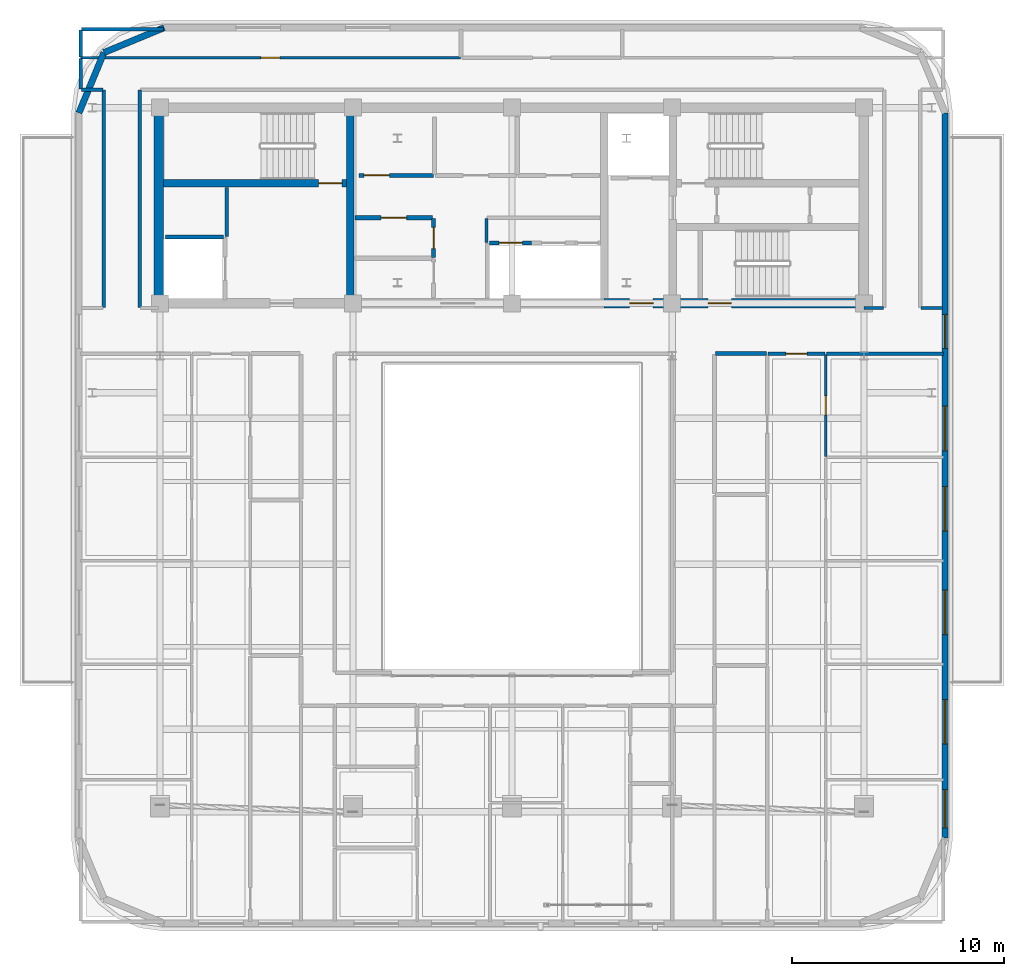
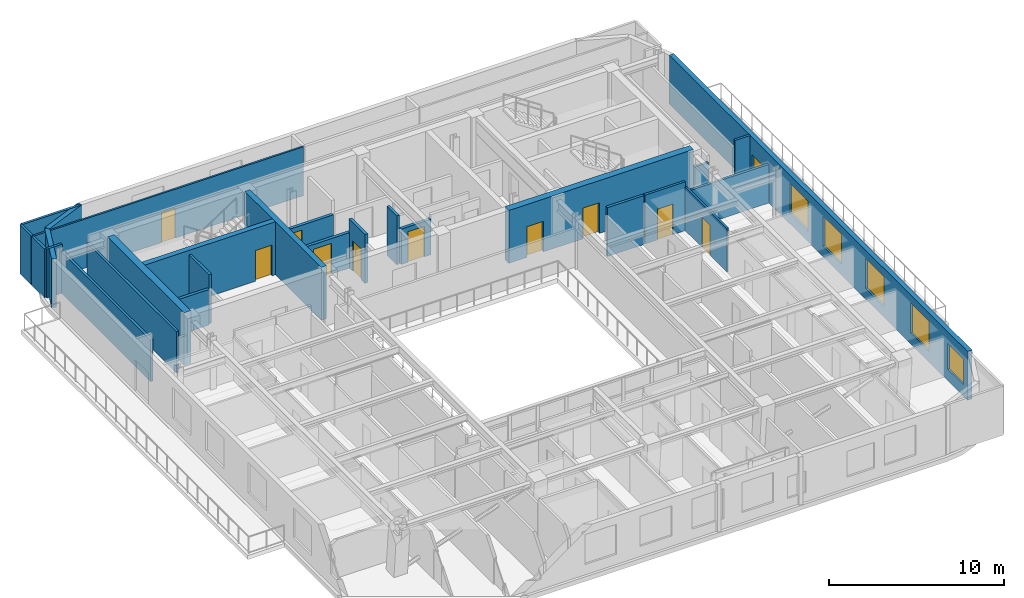
# One storey, part 9 of 14: 27 walls, 11 doors, 5 windows, 16 openings.
"""IFC4 building model written with IfcOpenShell, lengths in metres."""

import ifcopenshell
import ifcopenshell.guid

model = None  # the IFC model being written
_history = None  # IfcOwnerHistory: only IFC2X3 demands one
_inside = {}  # id of a spatial element -> (the spatial element, [elements in it])
_under = {}  # id of a project, library or spatial element -> (it, [spatial elements below it])
_declared = {}  # id of a project -> (the project, [libraries it declares])
_typed = {}  # id of a type object -> (the type object, [elements of that type])
_made_of = {}  # id of a material, layer set ... -> (it, [elements and type objects made of it])


def new_model(schema):
    """Start an empty IFC model of exactly this schema.

    Asked for "IFC4X3", IfcOpenShell would pick the latest addendum, in which some entities
    have other attributes; the version numbers below select the first issue.
    IFC2X3 requires an IfcOwnerHistory on every rooted entity: one is made here for all.
    """
    global model, _history
    if schema == "IFC4X3":
        model = ifcopenshell.file(schema_version=(4, 3, 0, 0))
    else:
        model = ifcopenshell.file(schema=schema)
    _inside.clear()
    _under.clear()
    _declared.clear()
    _typed.clear()
    _made_of.clear()
    _history = None
    if model.schema == "IFC2X3":
        org = make("IfcOrganization", Name="unknown")
        user = make(
            "IfcPersonAndOrganization",
            ThePerson=make("IfcPerson", FamilyName="unknown"),
            TheOrganization=org,
        )
        app = make(
            "IfcApplication",
            ApplicationDeveloper=org,
            Version="unknown",
            ApplicationFullName="unknown",
            ApplicationIdentifier="unknown",
        )
        _history = make(
            "IfcOwnerHistory",
            OwningUser=user,
            OwningApplication=app,
            ChangeAction="ADDED",
            CreationDate=0,
        )
    return model


def make(cls, **values):
    """One entity of the class cls with the attributes given. An attribute that is None is left unset."""
    return model.create_entity(
        cls, **{name: value for name, value in values.items() if value is not None}
    )


def rooted(cls, **values):
    """An entity with a GlobalId (a new one), such as an element, a storey or a relation."""
    return make(cls, GlobalId=ifcopenshell.guid.new(), OwnerHistory=_history, **values)


def si_unit(unit_type, name, prefix=None):
    """IfcSIUnit, for example si_unit("LENGTHUNIT", "METRE", prefix="MILLI")."""
    return make("IfcSIUnit", UnitType=unit_type, Prefix=prefix, Name=name)


def assignment(units):
    """IfcUnitAssignment: the units of a project."""
    return None if units is None else make("IfcUnitAssignment", Units=units)


def point(xyz):
    """IfcCartesianPoint."""
    return None if xyz is None else make("IfcCartesianPoint", Coordinates=xyz)


def direction(xyz):
    """IfcDirection."""
    return None if xyz is None else make("IfcDirection", DirectionRatios=xyz)


def frame(location, z_axis=None, x_axis=None):
    """IfcAxis2Placement3D, a coordinate frame: its origin and axes. An axis left out is left unset."""
    return make(
        "IfcAxis2Placement3D",
        Location=point(location),
        Axis=direction(z_axis),
        RefDirection=direction(x_axis),
    )


def frame_2d(location, x_axis=None):
    """IfcAxis2Placement2D, a coordinate frame in the plane: its origin and x axis."""
    return make(
        "IfcAxis2Placement2D", Location=point(location), RefDirection=direction(x_axis)
    )


def origin():
    """The frame at (0, 0, 0) with its axes left unset."""
    return frame((0.0, 0.0, 0.0))


def place(relative_to, where):
    """IfcLocalPlacement: puts the frame where relative to a parent placement (None: the world)."""
    return make(
        "IfcLocalPlacement", PlacementRelTo=relative_to, RelativePlacement=where
    )


def context(
    kind, dimensions, precision=None, world=None, true_north=None, identifier=None
):
    """IfcGeometricRepresentationContext, for example the 3D "Model" context."""
    return make(
        "IfcGeometricRepresentationContext",
        ContextIdentifier=identifier,
        ContextType=kind,
        CoordinateSpaceDimension=dimensions,
        Precision=precision,
        WorldCoordinateSystem=world,
        TrueNorth=true_north,
    )


def subcontext(parent, identifier, kind, view, scale=None):
    """IfcGeometricRepresentationSubContext, for example "Body" below "Model"."""
    return make(
        "IfcGeometricRepresentationSubContext",
        ContextIdentifier=identifier,
        ContextType=kind,
        ParentContext=parent,
        TargetScale=scale,
        TargetView=view,
    )


def project(units=None, contexts=None):
    """IfcProject with its units and contexts."""
    return rooted(
        "IfcProject",
        Name="project",
        RepresentationContexts=contexts,
        UnitsInContext=assignment(units),
    )


def spatial(cls, under=None, at=None, **own):
    """A site, building, storey or space (cls), placed at a placement, below another one or the project."""
    s = rooted(cls, ObjectPlacement=at, **own)
    if under is not None:
        _under.setdefault(under.id(), (under, []))[1].append(s)
    return s


def profile(cls, at=None, kind="AREA", **sizes):
    """A parametric profile (cls). Its sizes go by their IFC names, for example OverallWidth=200.0."""
    return make(cls, ProfileType=kind, Position=at, **sizes)


def rectangle(**sizes):
    """IfcRectangleProfileDef."""
    return profile("IfcRectangleProfileDef", **sizes)


def extrude(swept, where, along, depth):
    """IfcExtrudedAreaSolid: the profile swept, set in the frame where, extruded along a direction by depth."""
    return make(
        "IfcExtrudedAreaSolid",
        SweptArea=swept,
        Position=where,
        ExtrudedDirection=direction(along),
        Depth=depth,
    )


def shape(context_of_items, identifier, shape_type, items):
    """IfcShapeRepresentation: the items that make up one representation, for example the "Body"."""
    return make(
        "IfcShapeRepresentation",
        ContextOfItems=context_of_items,
        RepresentationIdentifier=identifier,
        RepresentationType=shape_type,
        Items=items,
    )


def material(Name=None, Category=None):
    """IfcMaterial."""
    return make("IfcMaterial", Name=Name, Category=Category)


def layer(
    of_material, thickness, ventilated=None, Name=None, Category=None, Priority=None
):
    """IfcMaterialLayer: one layer of a wall or slab, of a material (None: an air gap)."""
    return make(
        "IfcMaterialLayer",
        Material=of_material,
        LayerThickness=thickness,
        IsVentilated=ventilated,
        Name=Name,
        Category=Category,
        Priority=Priority,
    )


def layer_set(layers, Name=None):
    """IfcMaterialLayerSet."""
    return make("IfcMaterialLayerSet", MaterialLayers=layers, LayerSetName=Name)


def made_of(thing, what):
    """Note that an element or type object is made of a material, layer set ...; save() writes the relation."""
    if what is not None:
        _made_of.setdefault(what.id(), (what, []))[1].append(thing)
    return thing


def type_object(cls, material=None, **own):
    """A type object (cls), such as IfcWallType, which elements share."""
    return made_of(rooted(cls, **own), material)


def element(
    cls,
    number,
    at=None,
    inside=None,
    cuts=None,
    type_object=None,
    material=None,
    context=None,
    identifier="Body",
    shape_type=None,
    held_by="IfcProductDefinitionShape",
    body=None,
    shapes=None,
    **own,
):
    """One element of the class cls, such as IfcWall. Its Tag is "e" and its number.

    at: its placement. inside: the storey or other place that contains it. cuts: it is an
    opening in that element (IfcRelVoidsElement). A single representation is given by context,
    identifier, shape_type and body (its items); several are given by shapes. held_by: the class
    of the entity that holds the representations. save() writes the other relations.
    """
    e = rooted(cls, Tag="e%d" % number, ObjectPlacement=at, **own)
    if body is not None:
        shapes = [shape(context, identifier, shape_type, body)]
    if shapes is not None:
        e.Representation = make(held_by, Representations=shapes)
    if inside is not None:
        _inside.setdefault(inside.id(), (inside, []))[1].append(e)
    if cuts is not None:
        rooted(
            "IfcRelVoidsElement", RelatingBuildingElement=cuts, RelatedOpeningElement=e
        )
    if type_object is not None:
        _typed.setdefault(type_object.id(), (type_object, []))[1].append(e)
    return made_of(e, material)


def fill(opening, filler):
    """IfcRelFillsElement: the door or window that sits in an opening."""
    return rooted(
        "IfcRelFillsElement",
        RelatingOpeningElement=opening,
        RelatedBuildingElement=filler,
    )


def aggregate(whole, parts):
    """IfcRelAggregates: a whole, such as a stair, and the parts it consists of."""
    return rooted("IfcRelAggregates", RelatingObject=whole, RelatedObjects=parts)


def save(model, path):
    """Write the relations noted so far, then the file.

    IfcRelAggregates (storeys below a building ...), IfcRelContainedInSpatialStructure (elements
    in a storey), IfcRelDefinesByType, IfcRelAssociatesMaterial and IfcRelDeclares: one each for
    every whole, place, type object, material and project.
    """
    for whole, parts in _under.values():
        aggregate(whole, parts)
    for where, things in _inside.values():
        rooted(
            "IfcRelContainedInSpatialStructure",
            RelatedElements=things,
            RelatingStructure=where,
        )
    for kind, things in _typed.values():
        rooted("IfcRelDefinesByType", RelatedObjects=things, RelatingType=kind)
    for what, things in _made_of.values():
        rooted("IfcRelAssociatesMaterial", RelatedObjects=things, RelatingMaterial=what)
    for by, libraries in _declared.values():
        rooted("IfcRelDeclares", RelatingContext=by, RelatedDefinitions=libraries)
    model.write(path)


model = new_model("IFC4")

# Units and contexts
model_context = context("Model", 3, precision=1e-05, world=origin(), true_north=direction((0.0, 1.0)))
body_context = subcontext(model_context, "Body", "Model", "MODEL_VIEW")
ifc_project = project(units=[si_unit("LENGTHUNIT", "METRE"), si_unit("AREAUNIT", "SQUARE_METRE"), si_unit("VOLUMEUNIT", "CUBIC_METRE"), si_unit("PLANEANGLEUNIT", "RADIAN"), si_unit("MASSUNIT", "GRAM", prefix="KILO")], contexts=[model_context])

# Site, building, storey
site_placement = place(None, origin())
site = spatial("IfcSite", under=ifc_project, at=site_placement, CompositionType="ELEMENT")
building_placement = place(site_placement, origin())
building = spatial("IfcBuilding", under=site, at=building_placement, Name="Zarnavel Station Tower", CompositionType="ELEMENT")
storey_placement = place(building_placement, frame((0.0, 0.0, 243.60009765625)))
storey = spatial("IfcBuildingStorey", under=building, at=storey_placement, Name="L66", CompositionType="ELEMENT", Elevation=243.60009765625)

# Wall
ifc_material_1 = material(Name="Concrete C50/60", Category="concrete")
ifc_layer_1 = layer(ifc_material_1, 0.35009765625)
ifc_layer_set_1 = layer_set([ifc_layer_1], Name="CW_350")
wall_type_1 = type_object("IfcWallType", Name="CW_350", PredefinedType="SHEAR", material=ifc_layer_set_1)
wall_1_placement = place(storey_placement, frame((21.179931640625, 28.044921875, 0.0), z_axis=(0.0, 0.0, 1.0), x_axis=(0.0, 1.0, 0.0)))
element("IfcWall", 1, at=wall_1_placement, inside=storey, type_object=wall_type_1, Name="L66 Rear Core Shear Wall DIV-W", PredefinedType="SHEAR", context=body_context, shape_type="SweptSolid", body=[
    extrude(rectangle(XDim=8.780029296875, YDim=0.35009765625, at=frame_2d((4.39013671875, 0.0))), origin(), (0.0, 0.0, 1.0), 3.699951171875),
])

# Wall, opening, door
wall_2_placement = place(storey_placement, frame((21.0048828125, 33.47998046875, 0.0), z_axis=(0.0, 0.0, 1.0), x_axis=(-1.0, 0.0, 0.0)))
wall_2 = element("IfcWall", 2, at=wall_2_placement, inside=storey, type_object=wall_type_1, Name="L66 Rear Core Shear Wall DIV-H1", PredefinedType="SHEAR", context=body_context, shape_type="SweptSolid", body=[
    extrude(rectangle(XDim=8.6298828125, YDim=0.35009765625, at=frame_2d((4.31494140625, 0.0))), origin(), (0.0, 0.0, 1.0), 3.699951171875),
])
opening_1_placement = place(wall_2_placement, frame((0.219970703125, 0.0, 0.0)))
opening_1 = element("IfcOpeningElement", 3, at=opening_1_placement, cuts=wall_2, Name="Opening FD01", PredefinedType="OPENING", context=body_context, shape_type="SweptSolid", body=[
    extrude(rectangle(XDim=1.10009765625, YDim=2.14990234375, at=frame_2d((0.550048828125, 1.074951171875))), frame((0.0, 0.18505859375, 0.0), z_axis=(0.0, -1.0, 0.0), x_axis=(1.0, 0.0, 0.0)), (0.0, 0.0, 1.0), 0.3701171875),
])
ifc_material_2 = material(Name="Painted Galvanised Steel and Hardwood Leaf", Category="steel")
door_type_1 = type_object("IfcDoorType", Name="ID_STAIR_1100", OperationType="NOTDEFINED", PredefinedType="DOOR", material=ifc_material_2)
door_1_placement = place(opening_1_placement, origin())
door_1 = element("IfcDoor", 4, at=door_1_placement, inside=storey, type_object=door_type_1, Name="L66 Stair ST1 Lobby Fire Door", OperationType="SINGLE_SWING_LEFT", OverallHeight=2.14990234375, OverallWidth=1.10009765625, PredefinedType="DOOR", context=body_context, shape_type="SweptSolid", body=[
    extrude(rectangle(XDim=1.10009765625, YDim=2.14990234375, at=frame_2d((0.550048828125, 1.074951171875))), frame((0.0, 0.02490234375, 0.0), z_axis=(0.0, -1.0, 0.0), x_axis=(1.0, 0.0, 0.0)), (0.0, 0.0, 1.0), 0.050048828125),
])
fill(opening_1, door_1)

# Wall, openings, doors
ifc_material_3 = material(Name="Concrete C50/60", Category="concrete")
ifc_layer_2 = layer(ifc_material_3, 0.449951171875)
ifc_layer_set_2 = layer_set([ifc_layer_2], Name="CW_450")
wall_type_2 = type_object("IfcWallType", Name="CW_450", PredefinedType="SHEAR", material=ifc_layer_set_2)
wall_3_placement = place(storey_placement, frame((45.3798828125, 27.820068359375, 0.0), z_axis=(0.0, 0.0, 1.0), x_axis=(-1.0, 0.0, 0.0)))
wall_3 = element("IfcWall", 5, at=wall_3_placement, inside=storey, type_object=wall_type_2, Name="L66 Rear Core Shear Wall S-E", PredefinedType="SHEAR", context=body_context, shape_type="SweptSolid", body=[
    extrude(rectangle(XDim=12.22998046875, YDim=0.449951171875, at=frame_2d((6.114990234375, 0.0))), origin(), (0.0, 0.0, 1.0), 3.699951171875),
])
opening_2_placement = place(wall_3_placement, frame((9.929931640625, 0.0, 0.0)))
opening_2 = element("IfcOpeningElement", 6, at=opening_2_placement, cuts=wall_3, Name="Opening FD01", PredefinedType="OPENING", context=body_context, shape_type="SweptSolid", body=[
    extrude(rectangle(XDim=1.10009765625, YDim=2.14990234375, at=frame_2d((0.550048828125, 1.074951171875))), frame((0.0, 0.23486328125, 0.0), z_axis=(0.0, -1.0, 0.0), x_axis=(1.0, 0.0, 0.0)), (0.0, 0.0, 1.0), 0.469970703125),
])
opening_3_placement = place(wall_3_placement, frame((6.22998046875, 0.0, 0.0)))
opening_3 = element("IfcOpeningElement", 7, at=opening_3_placement, cuts=wall_3, Name="Opening FD01", PredefinedType="OPENING", context=body_context, shape_type="SweptSolid", body=[
    extrude(rectangle(XDim=1.10009765625, YDim=2.14990234375, at=frame_2d((0.550048828125, 1.074951171875))), frame((0.0, 0.23486328125, 0.0), z_axis=(0.0, -1.0, 0.0), x_axis=(1.0, 0.0, 0.0)), (0.0, 0.0, 1.0), 0.469970703125),
])
door_2_placement = place(opening_2_placement, origin())
door_2 = element("IfcDoor", 8, at=door_2_placement, inside=storey, type_object=door_type_1, Name="L66 East Firefighting Lobby Door", OperationType="SINGLE_SWING_LEFT", OverallHeight=2.14990234375, OverallWidth=1.10009765625, PredefinedType="DOOR", context=body_context, shape_type="SweptSolid", body=[
    extrude(rectangle(XDim=1.10009765625, YDim=2.14990234375, at=frame_2d((0.550048828125, 1.074951171875))), frame((0.0, 0.02490234375, 0.0), z_axis=(0.0, -1.0, 0.0), x_axis=(1.0, 0.0, 0.0)), (0.0, 0.0, 1.0), 0.050048828125),
])
fill(opening_2, door_2)
door_3_placement = place(opening_3_placement, origin())
door_3 = element("IfcDoor", 9, at=door_3_placement, inside=storey, type_object=door_type_1, Name="L66 Stair ST3 Corridor Fire Door", OperationType="SINGLE_SWING_RIGHT", OverallHeight=2.14990234375, OverallWidth=1.10009765625, PredefinedType="DOOR", context=body_context, shape_type="SweptSolid", body=[
    extrude(rectangle(XDim=1.10009765625, YDim=2.14990234375, at=frame_2d((0.550048828125, 1.074951171875))), frame((0.0, 0.02490234375, 0.0), z_axis=(0.0, -1.0, 0.0), x_axis=(1.0, 0.0, 0.0)), (0.0, 0.0, 1.0), 0.050048828125),
])
fill(opening_3, door_3)

# Wall
wall_4_placement = place(storey_placement, frame((12.14990234375, 28.044921875, 0.0), z_axis=(0.0, 0.0, 1.0), x_axis=(0.0, 1.0, 0.0)))
element("IfcWall", 10, at=wall_4_placement, inside=storey, type_object=wall_type_2, Name="L66 Rear Core Shear Wall W", PredefinedType="SHEAR", context=body_context, shape_type="SweptSolid", body=[
    extrude(rectangle(XDim=8.780029296875, YDim=0.449951171875, at=frame_2d((4.39013671875, 0.0))), origin(), (0.0, 0.0, 1.0), 3.699951171875),
])

# Wall, openings, door, windows
ifc_material_4 = material(Name="Precast concrete C45/55 (Dark Basalt Finish)", Category="masonry")
ifc_layer_3 = layer(ifc_material_4, 0.300048828125)
ifc_layer_set_3 = layer_set([ifc_layer_3], Name="EW_BASALT_300")
wall_type_3 = type_object("IfcWallType", Name="EW_BASALT_300", PredefinedType="SOLIDWALL", material=ifc_layer_set_3)
wall_5_placement = place(storey_placement, frame((49.219970703125, 36.800048828125, 0.0), z_axis=(0.0, 0.0, 1.0), x_axis=(0.0, -1.0, 0.0)))
wall_5 = element("IfcWall", 11, at=wall_5_placement, inside=storey, type_object=wall_type_3, Name="L66 Exterior Basalt Masonry Frame Wall 03", PredefinedType="SOLIDWALL", context=body_context, shape_type="SweptSolid", body=[
    extrude(rectangle(XDim=34.199951171875, YDim=0.300048828125, at=frame_2d((17.10009765625, 0.0))), origin(), (0.0, 0.0, 1.0), 3.419921875),
])
opening_4_placement = place(wall_5_placement, frame((9.5, 0.0, 0.0)))
opening_4 = element("IfcOpeningElement", 12, at=opening_4_placement, cuts=wall_5, Name="Opening ED03", PredefinedType="OPENING", context=body_context, shape_type="SweptSolid", body=[
    extrude(rectangle(XDim=1.60009765625, YDim=2.199951171875, at=frame_2d((0.800048828125, 1.10009765625))), frame((0.0, 0.159912109375, 0.0), z_axis=(0.0, -1.0, 0.0), x_axis=(1.0, 0.0, 0.0)), (0.0, 0.0, 1.0), 0.320068359375),
])
opening_5_placement = place(wall_5_placement, frame((31.91162109375, 0.0, 0.800048828125)))
opening_5 = element("IfcOpeningElement", 13, at=opening_5_placement, cuts=wall_5, Name="Opening WN02", PredefinedType="OPENING", context=body_context, shape_type="SweptSolid", body=[
    extrude(rectangle(XDim=1.800048828125, YDim=1.800048828125, at=frame_2d((0.89990234375, 0.89990234375))), frame((0.0, 0.159912109375, 0.0), z_axis=(0.0, -1.0, 0.0), x_axis=(1.0, 0.0, 0.0)), (0.0, 0.0, 1.0), 0.320068359375),
])
opening_6_placement = place(wall_5_placement, frame((27.66845703125, 0.0, 0.75)))
opening_6 = element("IfcOpeningElement", 14, at=opening_6_placement, cuts=wall_5, Name="Opening WN05", PredefinedType="OPENING", context=body_context, shape_type="SweptSolid", body=[
    extrude(rectangle(XDim=2.10009765625, YDim=2.10009765625, at=frame_2d((1.050048828125, 1.050048828125))), frame((0.0, 0.159912109375, 0.0), z_axis=(0.0, -1.0, 0.0), x_axis=(1.0, 0.0, 0.0)), (0.0, 0.0, 1.0), 0.320068359375),
])
opening_7_placement = place(wall_5_placement, frame((22.50341796875, 0.0, 0.75)))
opening_7 = element("IfcOpeningElement", 15, at=opening_7_placement, cuts=wall_5, Name="Opening WN05", PredefinedType="OPENING", context=body_context, shape_type="SweptSolid", body=[
    extrude(rectangle(XDim=2.10009765625, YDim=2.10009765625, at=frame_2d((1.050048828125, 1.050048828125))), frame((0.0, 0.159912109375, 0.0), z_axis=(0.0, -1.0, 0.0), x_axis=(1.0, 0.0, 0.0)), (0.0, 0.0, 1.0), 0.320068359375),
])
opening_8_placement = place(wall_5_placement, frame((17.62255859375, 0.0, 0.75)))
opening_8 = element("IfcOpeningElement", 16, at=opening_8_placement, cuts=wall_5, Name="Opening WN05", PredefinedType="OPENING", context=body_context, shape_type="SweptSolid", body=[
    extrude(rectangle(XDim=2.10009765625, YDim=2.10009765625, at=frame_2d((1.050048828125, 1.050048828125))), frame((0.0, 0.159912109375, 0.0), z_axis=(0.0, -1.0, 0.0), x_axis=(1.0, 0.0, 0.0)), (0.0, 0.0, 1.0), 0.320068359375),
])
opening_9_placement = place(wall_5_placement, frame((13.83203125, 0.0, 0.75)))
opening_9 = element("IfcOpeningElement", 17, at=opening_9_placement, cuts=wall_5, Name="Opening WN05", PredefinedType="OPENING", context=body_context, shape_type="SweptSolid", body=[
    extrude(rectangle(XDim=2.10009765625, YDim=2.10009765625, at=frame_2d((1.050048828125, 1.050048828125))), frame((0.0, 0.159912109375, 0.0), z_axis=(0.0, -1.0, 0.0), x_axis=(1.0, 0.0, 0.0)), (0.0, 0.0, 1.0), 0.320068359375),
])
ifc_material_5 = material(Name="Thermally Broken Black Aluminium and Laminated Safety Glass", Category="aluminium")
door_type_2 = type_object("IfcDoorType", Name="ED_TERR_1600", OperationType="DOUBLE_DOOR_SLIDING", PredefinedType="DOOR", material=ifc_material_5)
door_4_placement = place(opening_4_placement, origin())
door_4 = element("IfcDoor", 18, at=door_4_placement, inside=storey, type_object=door_type_2, Name="L66 E Setback Terrace Door", OperationType="DOUBLE_DOOR_SLIDING", OverallHeight=2.199951171875, OverallWidth=1.60009765625, PredefinedType="DOOR", context=body_context, shape_type="SweptSolid", body=[
    extrude(rectangle(XDim=1.60009765625, YDim=2.199951171875, at=frame_2d((0.800048828125, 1.10009765625))), frame((0.0, 0.02490234375, 0.0), z_axis=(0.0, -1.0, 0.0), x_axis=(1.0, 0.0, 0.0)), (0.0, 0.0, 1.0), 0.050048828125),
])
fill(opening_4, door_4)
ifc_material_6 = material(Name="Thermally Broken Black Aluminium and Low-E Dark Glass", Category="aluminium")
window_type_1 = type_object("IfcWindowType", Name="WN_1800x1800", PartitioningType="DOUBLE_PANEL_VERTICAL", PredefinedType="WINDOW", material=ifc_material_6)
window_1_placement = place(opening_5_placement, origin())
window_1 = element("IfcWindow", 19, at=window_1_placement, inside=storey, type_object=window_type_1, Name="L66 Recessed Facade Window 01", OverallHeight=1.800048828125, OverallWidth=1.800048828125, PartitioningType="SINGLE_PANEL", PredefinedType="WINDOW", context=body_context, shape_type="SweptSolid", body=[
    extrude(rectangle(XDim=1.800048828125, YDim=1.800048828125, at=frame_2d((0.89990234375, 0.89990234375))), frame((0.0, 0.030029296875, 0.0), z_axis=(0.0, -1.0, 0.0), x_axis=(1.0, 0.0, 0.0)), (0.0, 0.0, 1.0), 0.06005859375),
])
fill(opening_5, window_1)
ifc_material_7 = material(Name="Thermally Broken Black Aluminium and Low-E Dark Glass", Category="aluminium")
window_type_2 = type_object("IfcWindowType", Name="WN_2100x2100", PartitioningType="TRIPLE_PANEL_VERTICAL", PredefinedType="WINDOW", material=ifc_material_7)
window_2_placement = place(opening_6_placement, origin())
window_2 = element("IfcWindow", 20, at=window_2_placement, inside=storey, type_object=window_type_2, Name="L66 Recessed Facade Window 02", OverallHeight=2.10009765625, OverallWidth=2.10009765625, PartitioningType="SINGLE_PANEL", PredefinedType="WINDOW", context=body_context, shape_type="SweptSolid", body=[
    extrude(rectangle(XDim=2.10009765625, YDim=2.10009765625, at=frame_2d((1.050048828125, 1.050048828125))), frame((0.0, 0.030029296875, 0.0), z_axis=(0.0, -1.0, 0.0), x_axis=(1.0, 0.0, 0.0)), (0.0, 0.0, 1.0), 0.06005859375),
])
fill(opening_6, window_2)
window_3_placement = place(opening_7_placement, origin())
window_3 = element("IfcWindow", 21, at=window_3_placement, inside=storey, type_object=window_type_2, Name="L66 Recessed Facade Window 03", OverallHeight=2.10009765625, OverallWidth=2.10009765625, PartitioningType="SINGLE_PANEL", PredefinedType="WINDOW", context=body_context, shape_type="SweptSolid", body=[
    extrude(rectangle(XDim=2.10009765625, YDim=2.10009765625, at=frame_2d((1.050048828125, 1.050048828125))), frame((0.0, 0.030029296875, 0.0), z_axis=(0.0, -1.0, 0.0), x_axis=(1.0, 0.0, 0.0)), (0.0, 0.0, 1.0), 0.06005859375),
])
fill(opening_7, window_3)
window_4_placement = place(opening_8_placement, origin())
window_4 = element("IfcWindow", 22, at=window_4_placement, inside=storey, type_object=window_type_2, Name="L66 Recessed Facade Window 04", OverallHeight=2.10009765625, OverallWidth=2.10009765625, PartitioningType="SINGLE_PANEL", PredefinedType="WINDOW", context=body_context, shape_type="SweptSolid", body=[
    extrude(rectangle(XDim=2.10009765625, YDim=2.10009765625, at=frame_2d((1.050048828125, 1.050048828125))), frame((0.0, 0.030029296875, 0.0), z_axis=(0.0, -1.0, 0.0), x_axis=(1.0, 0.0, 0.0)), (0.0, 0.0, 1.0), 0.06005859375),
])
fill(opening_8, window_4)
window_5_placement = place(opening_9_placement, origin())
window_5 = element("IfcWindow", 23, at=window_5_placement, inside=storey, type_object=window_type_2, Name="L66 Recessed Facade Window 05", OverallHeight=2.10009765625, OverallWidth=2.10009765625, PartitioningType="SINGLE_PANEL", PredefinedType="WINDOW", context=body_context, shape_type="SweptSolid", body=[
    extrude(rectangle(XDim=2.10009765625, YDim=2.10009765625, at=frame_2d((1.050048828125, 1.050048828125))), frame((0.0, 0.030029296875, 0.0), z_axis=(0.0, -1.0, 0.0), x_axis=(1.0, 0.0, 0.0)), (0.0, 0.0, 1.0), 0.06005859375),
])
fill(opening_9, window_5)

# Walls
for number, where, z_axis, x_axis, name in (
    (24, (9.557373046875, 39.642578125, 0.0), (0.0, 0.0, 1.0), (0.923870793506, 0.382704529509, 0.0), "L66 Exterior Basalt Masonry Frame Wall 07"),
    (25, (8.3798828125, 36.800048828125, 0.0), (0.0, 0.0, 1.0), (0.382704529509, 0.923870793506, 0.0), "L66 Exterior Basalt Masonry Frame Wall 08"),
):
    element("IfcWall", number, at=place(storey_placement, frame(where, z_axis=z_axis, x_axis=x_axis)), inside=storey, type_object=wall_type_3, Name=name, PredefinedType="SOLIDWALL", context=body_context, shape_type="SweptSolid", body=[
        extrude(rectangle(XDim=3.07666015625, YDim=0.300048828125, at=frame_2d((1.538330078125, 0.0))), origin(), (0.0, 0.0, 1.0), 3.419921875),
    ])

# Wall, opening, door
ifc_material_8 = material(Name="Gypsum Twin-Stud Acoustic Fire Partition", Category="concrete")
ifc_layer_4 = layer(ifc_material_8, 0.159912109375)
ifc_layer_set_4 = layer_set([ifc_layer_4], Name="PT_DEMISE_160")
wall_type_4 = type_object("IfcWallType", Name="PT_DEMISE_160", PredefinedType="PARTITIONING", material=ifc_layer_set_4)
wall_6_placement = place(storey_placement, frame((40.8720703125, 25.449951171875, 0.0), z_axis=(0.0, 0.0, 1.0), x_axis=(1.0, 0.0, 0.0)))
wall_6 = element("IfcWall", 26, at=wall_6_placement, inside=storey, type_object=wall_type_4, Name="L66 Partition COR-S-UE1LV", PredefinedType="PARTITIONING", context=body_context, shape_type="SweptSolid", body=[
    extrude(rectangle(XDim=2.681884765625, YDim=0.159912109375, at=frame_2d((1.3408203125, 0.0))), origin(), (0.0, 0.0, 1.0), 3.419921875),
])
opening_10_placement = place(wall_6_placement, frame((0.841064453125, 0.0, 0.0)))
opening_10 = element("IfcOpeningElement", 27, at=opening_10_placement, cuts=wall_6, Name="Opening FD02", PredefinedType="OPENING", context=body_context, shape_type="SweptSolid", body=[
    extrude(rectangle(XDim=1.0, YDim=2.14990234375, at=frame_2d((0.5, 1.074951171875))), frame((0.0, 0.08984375, 0.0), z_axis=(0.0, -1.0, 0.0), x_axis=(1.0, 0.0, 0.0)), (0.0, 0.0, 1.0), 0.179931640625),
])
ifc_material_9 = material(Name="Painted Galvanised Steel and Hardwood Leaf", Category="steel")
door_type_3 = type_object("IfcDoorType", Name="ID_ENTRY_1000", OperationType="NOTDEFINED", PredefinedType="DOOR", material=ifc_material_9)
door_5_placement = place(opening_10_placement, origin())
door_5 = element("IfcDoor", 28, at=door_5_placement, inside=storey, type_object=door_type_3, Name="L66 Door COR-S-UE1LV", OperationType="SINGLE_SWING_RIGHT", OverallHeight=2.14990234375, OverallWidth=1.0, PredefinedType="DOOR", context=body_context, shape_type="SweptSolid", body=[
    extrude(rectangle(XDim=1.0, YDim=2.14990234375, at=frame_2d((0.5, 1.074951171875))), frame((0.0, 0.02490234375, 0.0), z_axis=(0.0, -1.0, 0.0), x_axis=(1.0, 0.0, 0.0)), (0.0, 0.0, 1.0), 0.050048828125),
])
fill(opening_10, door_5)

# Walls
wall_7_placement = place(storey_placement, frame((43.634033203125, 25.449951171875, 0.0), z_axis=(0.0, 0.0, 1.0), x_axis=(1.0, 0.0, 0.0)))
element("IfcWall", 29, at=wall_7_placement, inside=storey, type_object=wall_type_4, Name="L66 Partition COR-S-UE1B5", PredefinedType="PARTITIONING", context=body_context, shape_type="SweptSolid", body=[
    extrude(rectangle(XDim=5.505859375, YDim=0.159912109375, at=frame_2d((2.7529296875, 0.0))), origin(), (0.0, 0.0, 1.0), 2.699951171875),
])
wall_8_placement = place(storey_placement, frame((15.35009765625, 30.9599609375, 0.0), z_axis=(0.0, 0.0, 1.0), x_axis=(0.0, 1.0, 0.0)))
element("IfcWall", 30, at=wall_8_placement, inside=storey, type_object=wall_type_4, Name="L66 Enclosure Wall FFL1", PredefinedType="PARTITIONING", context=body_context, shape_type="SweptSolid", body=[
    extrude(rectangle(XDim=2.31005859375, YDim=0.159912109375, at=frame_2d((1.155029296875, 0.0))), origin(), (0.0, 0.0, 1.0), 3.419921875),
])
wall_9_placement = place(storey_placement, frame((27.60009765625, 30.679931640625, 0.0), z_axis=(0.0, 0.0, 1.0), x_axis=(0.0, 1.0, 0.0)))
element("IfcWall", 31, at=wall_9_placement, inside=storey, type_object=wall_type_4, Name="L66 Enclosure Wall LLOBS", PredefinedType="PARTITIONING", context=body_context, shape_type="SweptSolid", body=[
    extrude(rectangle(XDim=1.14013671875, YDim=0.159912109375, at=frame_2d((0.570068359375, 0.0))), origin(), (0.0, 0.0, 1.0), 3.419921875),
])
wall_10_placement = place(storey_placement, frame((45.409912109375, 27.60009765625, 0.0), z_axis=(0.0, 0.0, 1.0), x_axis=(1.0, 0.0, 0.0)))
element("IfcWall", 32, at=wall_10_placement, inside=storey, type_object=wall_type_4, Name="L66 Enclosure Wall COR-S", PredefinedType="PARTITIONING", context=body_context, shape_type="SweptSolid", body=[
    extrude(rectangle(XDim=0.91015625, YDim=0.159912109375, at=frame_2d((0.455078125, 0.0))), origin(), (0.0, 0.0, 1.0), 2.489990234375),
])
wall_11_placement = place(storey_placement, frame((48.080078125, 27.60009765625, 0.0), z_axis=(0.0, 0.0, 1.0), x_axis=(1.0, 0.0, 0.0)))
element("IfcWall", 33, at=wall_11_placement, inside=storey, type_object=wall_type_4, Name="L66 Enclosure Wall COR-S", PredefinedType="PARTITIONING", context=body_context, shape_type="SweptSolid", body=[
    extrude(rectangle(XDim=1.030029296875, YDim=0.159912109375, at=frame_2d((0.51513671875, 0.0))), origin(), (0.0, 0.0, 1.0), 3.419921875),
])
for number, where, z_axis, x_axis, name in (
    (34, (9.550048828125, 27.6298828125, 0.0), (0.0, 0.0, 1.0), (0.0, 1.0, 0.0), "L66 Enclosure Wall COR-W"),
    (35, (11.25, 27.6298828125, 0.0), (0.0, 0.0, 1.0), (0.0, 1.0, 0.0), "L66 Enclosure Wall COR-W"),
):
    element("IfcWall", number, at=place(storey_placement, frame(where, z_axis=z_axis, x_axis=x_axis)), inside=storey, type_object=wall_type_4, Name=name, PredefinedType="PARTITIONING", context=body_context, shape_type="SweptSolid", body=[
        extrude(rectangle(XDim=10.240234375, YDim=0.159912109375, at=frame_2d((5.1201171875, 0.0))), origin(), (0.0, 0.0, 1.0), 2.89990234375),
    ])
wall_12_placement = place(storey_placement, frame((8.489990234375, 37.89990234375, 0.0), z_axis=(0.0, 0.0, 1.0), x_axis=(1.0, 0.0, 0.0)))
element("IfcWall", 36, at=wall_12_placement, inside=storey, type_object=wall_type_4, Name="L66 Enclosure Wall COR-N", PredefinedType="PARTITIONING", context=body_context, shape_type="SweptSolid", body=[
    extrude(rectangle(XDim=1.030029296875, YDim=0.159912109375, at=frame_2d((0.51513671875, 0.0))), origin(), (0.0, 0.0, 1.0), 3.419921875),
])
wall_13_placement = place(storey_placement, frame((8.4599609375, 37.929931640625, 0.0), z_axis=(0.0, 0.0, 1.0), x_axis=(0.0, 1.0, 0.0)))
element("IfcWall", 37, at=wall_13_placement, inside=storey, type_object=wall_type_4, Name="L66 Enclosure Wall COR-N", PredefinedType="PARTITIONING", context=body_context, shape_type="SweptSolid", body=[
    extrude(rectangle(XDim=1.440185546875, YDim=0.159912109375, at=frame_2d((0.72021484375, 0.0))), origin(), (0.0, 0.0, 1.0), 3.419921875),
])
wall_14_placement = place(storey_placement, frame((8.489990234375, 40.739990234375, 0.0), z_axis=(0.0, 0.0, 1.0), x_axis=(1.0, 0.0, 0.0)))
element("IfcWall", 38, at=wall_14_placement, inside=storey, type_object=wall_type_4, Name="L66 Enclosure Wall NSTD", PredefinedType="PARTITIONING", context=body_context, shape_type="SweptSolid", body=[
    extrude(rectangle(XDim=3.880126953125, YDim=0.159912109375, at=frame_2d((1.93994140625, 0.0))), origin(), (0.0, 0.0, 1.0), 3.419921875),
])
wall_15_placement = place(storey_placement, frame((8.4599609375, 39.429931640625, 0.0), z_axis=(0.0, 0.0, 1.0), x_axis=(0.0, 1.0, 0.0)))
element("IfcWall", 39, at=wall_15_placement, inside=storey, type_object=wall_type_4, Name="L66 Enclosure Wall NSTD", PredefinedType="PARTITIONING", context=body_context, shape_type="SweptSolid", body=[
    extrude(rectangle(XDim=1.280029296875, YDim=0.159912109375, at=frame_2d((0.64013671875, 0.0))), origin(), (0.0, 0.0, 1.0), 3.419921875),
])

# Wall, opening, door
ifc_material_10 = material(Name="Gypsum Metal-Stud Interior Partition", Category="concrete")
ifc_layer_5 = layer(ifc_material_10, 0.1201171875)
ifc_layer_set_5 = layer_set([ifc_layer_5], Name="PT_ROOM_120")
wall_type_5 = type_object("IfcWallType", Name="PT_ROOM_120", PredefinedType="PARTITIONING", material=ifc_layer_set_5)
wall_16_placement = place(storey_placement, frame((8.4599609375, 39.39990234375, 0.0), z_axis=(0.0, 0.0, 1.0), x_axis=(1.0, 0.0, 0.0)))
wall_16 = element("IfcWall", 40, at=wall_16_placement, inside=storey, type_object=wall_type_5, Name="L66 Partition COR-N-NSTD", PredefinedType="PARTITIONING", context=body_context, shape_type="SweptSolid", body=[
    extrude(rectangle(XDim=17.900146484375, YDim=0.1201171875, at=frame_2d((8.9501953125, 0.0))), origin(), (0.0, 0.0, 1.0), 3.419921875),
])
opening_11_placement = place(wall_16_placement, frame((8.5, 0.0, 0.0)))
opening_11 = element("IfcOpeningElement", 41, at=opening_11_placement, cuts=wall_16, Name="Opening ID01", PredefinedType="OPENING", context=body_context, shape_type="SweptSolid", body=[
    extrude(rectangle(XDim=0.89990234375, YDim=2.10009765625, at=frame_2d((0.449951171875, 1.050048828125))), frame((0.0, 0.070068359375, 0.0), z_axis=(0.0, -1.0, 0.0), x_axis=(1.0, 0.0, 0.0)), (0.0, 0.0, 1.0), 0.14013671875),
])
ifc_material_11 = material(Name="Painted Galvanised Steel and Hardwood Leaf", Category="steel")
door_type_4 = type_object("IfcDoorType", Name="ID_ROOM_900", OperationType="NOTDEFINED", PredefinedType="DOOR", material=ifc_material_11)
door_6_placement = place(opening_11_placement, origin())
door_6 = element("IfcDoor", 42, at=door_6_placement, inside=storey, type_object=door_type_4, Name="L66 Door COR-N-NSTD", OperationType="SINGLE_SWING_LEFT", OverallHeight=2.10009765625, OverallWidth=0.89990234375, PredefinedType="DOOR", context=body_context, shape_type="SweptSolid", body=[
    extrude(rectangle(XDim=0.89990234375, YDim=2.10009765625, at=frame_2d((0.449951171875, 1.050048828125))), frame((0.0, 0.02490234375, 0.0), z_axis=(0.0, -1.0, 0.0), x_axis=(1.0, 0.0, 0.0)), (0.0, 0.0, 1.0), 0.050048828125),
])
fill(opening_11, door_6)

wall_17_placement = place(storey_placement, frame((43.593994140625, 20.60791015625, 0.0), z_axis=(0.0, 0.0, 1.0), x_axis=(0.0, 1.0, 0.0)))
wall_17 = element("IfcWall", 43, at=wall_17_placement, inside=storey, type_object=wall_type_5, Name="L66 Partition UE1LV-UE1B5", PredefinedType="PARTITIONING", context=body_context, shape_type="SweptSolid", body=[
    extrude(rectangle(XDim=4.802001953125, YDim=0.1201171875, at=frame_2d((2.40087890625, 0.0))), origin(), (0.0, 0.0, 1.0), 3.0498046875),
])
opening_12_placement = place(wall_17_placement, frame((1.950927734375, 0.0, 0.0)))
opening_12 = element("IfcOpeningElement", 44, at=opening_12_placement, cuts=wall_17, Name="Opening ID01", PredefinedType="OPENING", context=body_context, shape_type="SweptSolid", body=[
    extrude(rectangle(XDim=0.89990234375, YDim=2.10009765625, at=frame_2d((0.449951171875, 1.050048828125))), frame((0.0, 0.070068359375, 0.0), z_axis=(0.0, -1.0, 0.0), x_axis=(1.0, 0.0, 0.0)), (0.0, 0.0, 1.0), 0.14013671875),
])
door_7_placement = place(opening_12_placement, origin())
door_7 = element("IfcDoor", 45, at=door_7_placement, inside=storey, type_object=door_type_4, Name="L66 Door UE1LV-UE1B5", OperationType="SINGLE_SWING_RIGHT", OverallHeight=2.10009765625, OverallWidth=0.89990234375, PredefinedType="DOOR", context=body_context, shape_type="SweptSolid", body=[
    extrude(rectangle(XDim=0.89990234375, YDim=2.10009765625, at=frame_2d((0.449951171875, 1.050048828125))), frame((0.0, 0.02490234375, 0.0), z_axis=(0.0, -1.0, 0.0), x_axis=(1.0, 0.0, 0.0)), (0.0, 0.0, 1.0), 0.050048828125),
])
fill(opening_12, door_7)

# Wall
ifc_material_12 = material(Name="Precast concrete C45/55 (Fire Shaft Blockwork)", Category="masonry")
ifc_layer_6 = layer(ifc_material_12, 0.199951171875)
ifc_layer_set_6 = layer_set([ifc_layer_6], Name="PT_SHAFT_200")
wall_type_6 = type_object("IfcWallType", Name="PT_SHAFT_200", PredefinedType="PARTITIONING", material=ifc_layer_set_6)
wall_18_placement = place(storey_placement, frame((12.449951171875, 30.949951171875, 0.0), z_axis=(0.0, 0.0, 1.0), x_axis=(1.0, 0.0, 0.0)))
element("IfcWall", 46, at=wall_18_placement, inside=storey, type_object=wall_type_6, Name="L66 Lift FFL-01 North Shaft Wall", PredefinedType="PARTITIONING", context=body_context, shape_type="SweptSolid", body=[
    extrude(rectangle(XDim=2.75, YDim=0.199951171875, at=frame_2d((1.375, 0.0))), origin(), (0.0, 0.0, 1.0), 2.489990234375),
])

# Wall, opening, door
wall_19_placement = place(storey_placement, frame((27.75, 30.669921875, 0.0), z_axis=(0.0, 0.0, 1.0), x_axis=(1.0, 0.0, 0.0)))
wall_19 = element("IfcWall", 47, at=wall_19_placement, inside=storey, type_object=wall_type_6, Name="L66 Lift PL-H1 Shaft Front Wall", PredefinedType="PARTITIONING", context=body_context, shape_type="SweptSolid", body=[
    extrude(rectangle(XDim=1.97509765625, YDim=0.199951171875, at=frame_2d((0.987548828125, 0.0))), origin(), (0.0, 0.0, 1.0), 2.489990234375),
])
opening_13_placement = place(wall_19_placement, frame((0.4375, 0.0, 0.0)))
opening_13 = element("IfcOpeningElement", 48, at=opening_13_placement, cuts=wall_19, Name="Opening LD02", PredefinedType="OPENING", context=body_context, shape_type="SweptSolid", body=[
    extrude(rectangle(XDim=1.10009765625, YDim=2.14990234375, at=frame_2d((0.550048828125, 1.074951171875))), frame((0.0, 0.10986328125, 0.0), z_axis=(0.0, -1.0, 0.0), x_axis=(1.0, 0.0, 0.0)), (0.0, 0.0, 1.0), 0.219970703125),
])
ifc_material_13 = material(Name="Painted Galvanised Steel and Hardwood Leaf", Category="steel")
door_type_5 = type_object("IfcDoorType", Name="LD_PAX_1100", OperationType="DOUBLE_DOOR_SLIDING", PredefinedType="DOOR", material=ifc_material_13)
door_8_placement = place(opening_13_placement, origin())
door_8 = element("IfcDoor", 49, at=door_8_placement, inside=storey, type_object=door_type_5, Name="L66 Lift PL-H1 Sliding Landing Door", OperationType="DOUBLE_DOOR_SLIDING", OverallHeight=2.14990234375, OverallWidth=1.10009765625, PredefinedType="DOOR", context=body_context, shape_type="SweptSolid", body=[
    extrude(rectangle(XDim=1.10009765625, YDim=2.14990234375, at=frame_2d((0.550048828125, 1.074951171875))), frame((0.0, 0.02490234375, 0.0), z_axis=(0.0, -1.0, 0.0), x_axis=(1.0, 0.0, 0.0)), (0.0, 0.0, 1.0), 0.050048828125),
])
fill(opening_13, door_8)

wall_20_placement = place(storey_placement, frame((21.39990234375, 31.85009765625, 0.0), z_axis=(0.0, 0.0, 1.0), x_axis=(1.0, 0.0, 0.0)))
wall_20 = element("IfcWall", 50, at=wall_20_placement, inside=storey, type_object=wall_type_6, Name="L66 Partition LLOB-CS2", PredefinedType="PARTITIONING", context=body_context, shape_type="SweptSolid", body=[
    extrude(rectangle(XDim=3.66015625, YDim=0.199951171875, at=frame_2d((1.830078125, 0.0))), origin(), (0.0, 0.0, 1.0), 2.489990234375),
])
opening_14_placement = place(wall_20_placement, frame((1.22998046875, 0.0, 0.0)))
opening_14 = element("IfcOpeningElement", 51, at=opening_14_placement, cuts=wall_20, Name="Opening FD03", PredefinedType="OPENING", context=body_context, shape_type="SweptSolid", body=[
    extrude(rectangle(XDim=1.199951171875, YDim=2.14990234375, at=frame_2d((0.60009765625, 1.074951171875))), frame((0.0, 0.10986328125, 0.0), z_axis=(0.0, -1.0, 0.0), x_axis=(1.0, 0.0, 0.0)), (0.0, 0.0, 1.0), 0.219970703125),
])
ifc_material_14 = material(Name="Painted Galvanised Steel and Hardwood Leaf", Category="steel")
door_type_6 = type_object("IfcDoorType", Name="ID_PLANT_1200", OperationType="NOTDEFINED", PredefinedType="DOOR", material=ifc_material_14)
door_9_placement = place(opening_14_placement, origin())
door_9 = element("IfcDoor", 52, at=door_9_placement, inside=storey, type_object=door_type_6, Name="L66 Door LLOB-CS2", OperationType="SINGLE_SWING_LEFT", OverallHeight=2.14990234375, OverallWidth=1.199951171875, PredefinedType="DOOR", context=body_context, shape_type="SweptSolid", body=[
    extrude(rectangle(XDim=1.199951171875, YDim=2.14990234375, at=frame_2d((0.60009765625, 1.074951171875))), frame((0.0, 0.02490234375, 0.0), z_axis=(0.0, -1.0, 0.0), x_axis=(1.0, 0.0, 0.0)), (0.0, 0.0, 1.0), 0.050048828125),
])
fill(opening_14, door_9)

wall_21_placement = place(storey_placement, frame((25.110107421875, 33.85009765625, 0.0), z_axis=(0.0, 0.0, 1.0), x_axis=(-1.0, 0.0, 0.0)))
wall_21 = element("IfcWall", 53, at=wall_21_placement, inside=storey, type_object=wall_type_6, Name="L66 Partition LLOB-FB2A", PredefinedType="PARTITIONING", context=body_context, shape_type="SweptSolid", body=[
    extrude(rectangle(XDim=3.52001953125, YDim=0.199951171875, at=frame_2d((1.760009765625, 0.0))), origin(), (0.0, 0.0, 1.0), 2.489990234375),
])
opening_15_placement = place(wall_21_placement, frame((2.094970703125, 0.0, 0.0)))
opening_15 = element("IfcOpeningElement", 54, at=opening_15_placement, cuts=wall_21, Name="Opening FD03", PredefinedType="OPENING", context=body_context, shape_type="SweptSolid", body=[
    extrude(rectangle(XDim=1.199951171875, YDim=2.14990234375, at=frame_2d((0.60009765625, 1.074951171875))), frame((0.0, 0.10986328125, 0.0), z_axis=(0.0, -1.0, 0.0), x_axis=(1.0, 0.0, 0.0)), (0.0, 0.0, 1.0), 0.219970703125),
])
door_10_placement = place(opening_15_placement, origin())
door_10 = element("IfcDoor", 55, at=door_10_placement, inside=storey, type_object=door_type_6, Name="L66 Door LLOB-FB2A", OperationType="SINGLE_SWING_RIGHT", OverallHeight=2.14990234375, OverallWidth=1.199951171875, PredefinedType="DOOR", context=body_context, shape_type="SweptSolid", body=[
    extrude(rectangle(XDim=1.199951171875, YDim=2.14990234375, at=frame_2d((0.60009765625, 1.074951171875))), frame((0.0, 0.02490234375, 0.0), z_axis=(0.0, -1.0, 0.0), x_axis=(1.0, 0.0, 0.0)), (0.0, 0.0, 1.0), 0.050048828125),
])
fill(opening_15, door_10)

wall_22_placement = place(storey_placement, frame((25.10009765625, 29.989990234375, 0.0), z_axis=(0.0, 0.0, 1.0), x_axis=(0.0, 1.0, 0.0)))
wall_22 = element("IfcWall", 56, at=wall_22_placement, inside=storey, type_object=wall_type_6, Name="L66 Partition LLOBS-CS2", PredefinedType="PARTITIONING", context=body_context, shape_type="SweptSolid", body=[
    extrude(rectangle(XDim=1.820068359375, YDim=0.199951171875, at=frame_2d((0.91015625, 0.0))), origin(), (0.0, 0.0, 1.0), 3.419921875),
])
opening_16_placement = place(wall_22_placement, frame((0.409912109375, 0.0, 0.0)))
opening_16 = element("IfcOpeningElement", 57, at=opening_16_placement, cuts=wall_22, Name="Opening FD02", PredefinedType="OPENING", context=body_context, shape_type="SweptSolid", body=[
    extrude(rectangle(XDim=1.0, YDim=2.14990234375, at=frame_2d((0.5, 1.074951171875))), frame((0.0, 0.10986328125, 0.0), z_axis=(0.0, -1.0, 0.0), x_axis=(1.0, 0.0, 0.0)), (0.0, 0.0, 1.0), 0.219970703125),
])
door_11_placement = place(opening_16_placement, origin())
door_11 = element("IfcDoor", 58, at=door_11_placement, inside=storey, type_object=door_type_3, Name="L66 Door LLOBS-CS2", OperationType="SINGLE_SWING_RIGHT", OverallHeight=2.14990234375, OverallWidth=1.0, PredefinedType="DOOR", context=body_context, shape_type="SweptSolid", body=[
    extrude(rectangle(XDim=1.0, YDim=2.14990234375, at=frame_2d((0.5, 1.074951171875))), frame((0.0, 0.02490234375, 0.0), z_axis=(0.0, -1.0, 0.0), x_axis=(1.0, 0.0, 0.0)), (0.0, 0.0, 1.0), 0.050048828125),
])
fill(opening_16, door_11)

# Wall
ifc_material_15 = material(Name="Moisture-Resistant Plumbing Chase Wall", Category="concrete")
ifc_layer_7 = layer(ifc_material_15, 0.179931640625)
ifc_layer_set_7 = layer_set([ifc_layer_7], Name="PW_PLUMB_180")
wall_type_7 = type_object("IfcWallType", Name="PW_PLUMB_180", PredefinedType="PLUMBINGWALL", material=ifc_layer_set_7)
wall_23_placement = place(storey_placement, frame((38.389892578125, 25.449951171875, 0.0), z_axis=(0.0, 0.0, 1.0), x_axis=(1.0, 0.0, 0.0)))
element("IfcWall", 59, at=wall_23_placement, inside=storey, type_object=wall_type_7, Name="L66 Partition COR-S-UE1BA", PredefinedType="PLUMBINGWALL", context=body_context, shape_type="SweptSolid", body=[
    extrude(rectangle(XDim=2.402099609375, YDim=0.179931640625, at=frame_2d((1.201171875, 0.0))), origin(), (0.0, 0.0, 1.0), 3.419921875),
])

save(model, "model.ifc")
